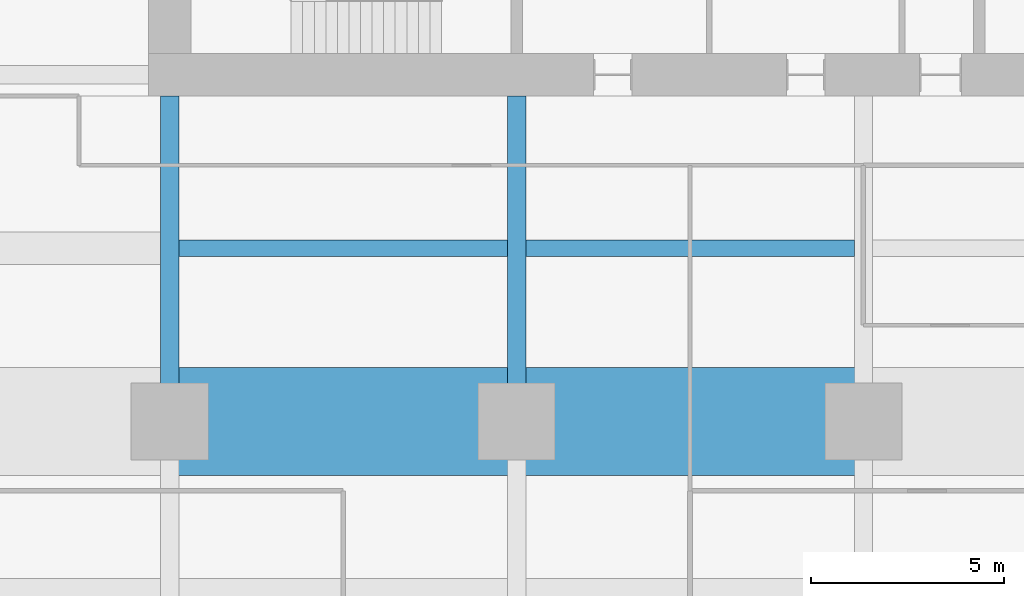
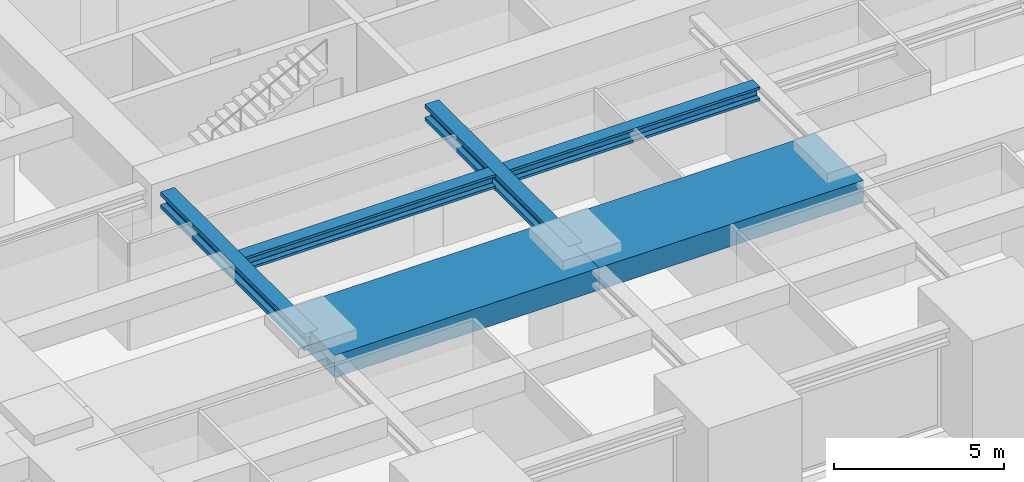
# One storey, part 9 of 45: 6 beams.
"""IFC4 building model written with IfcOpenShell, lengths in metres."""

from ifc_helpers import new_model, si_unit, direction, frame, origin, origin_2d, place, context, subcontext, project, spatial, rectangle, i_section, extrude, material, material_profile, profile_set, type_object, element, save


model = new_model("IFC4")

# Units and contexts
model_context = context("Model", 3, precision=1e-05, world=origin(), true_north=direction((0.0, 1.0)))
body_context = subcontext(model_context, "Body", "Model", "MODEL_VIEW")
ifc_project = project(units=[si_unit("LENGTHUNIT", "METRE"), si_unit("AREAUNIT", "SQUARE_METRE"), si_unit("VOLUMEUNIT", "CUBIC_METRE"), si_unit("PLANEANGLEUNIT", "RADIAN"), si_unit("MASSUNIT", "GRAM", prefix="KILO")], contexts=[model_context])

# Site, building, storey
site_placement = place(None, origin())
site = spatial("IfcSite", under=ifc_project, at=site_placement, CompositionType="ELEMENT")
building_placement = place(site_placement, origin())
building = spatial("IfcBuilding", under=site, at=building_placement, Name="Zorevar Civic Tower", CompositionType="ELEMENT")
storey_placement = place(building_placement, frame((0.0, 0.0, 153.0)))
storey = spatial("IfcBuildingStorey", under=building, at=storey_placement, Name="L37", CompositionType="ELEMENT", Elevation=153.0)

# Beams
ifc_material_1 = material(Name="Concrete C50/60", Category="concrete")
ifc_material_profile_1 = material_profile(ifc_material_1, rectangle(XDim=2.800048828125, YDim=0.800048828125, at=origin_2d()), Name="RC 2800x800")
ifc_profile_set_1 = profile_set([ifc_material_profile_1], Name="Concrete C50/60")
beam_type_1 = type_object("IfcBeamType", Name="Beam RC 2800x800", PredefinedType="BEAM", material=ifc_profile_set_1)
for number, where, z_axis, x_axis, name in (
    (1, (18.0, 9.0, 3.449951171875), (1.0, 0.0, 0.0), (0.0, 1.0, 0.0), "Girder L38"),
    (2, (27.0, 9.0, 3.449951171875), (1.0, 0.0, 0.0), (0.0, 1.0, 0.0), "Girder L38"),
):
    element("IfcBeam", number, at=place(storey_placement, frame(where, z_axis=z_axis, x_axis=x_axis)), inside=storey, type_object=beam_type_1, Name=name, PredefinedType="BEAM", context=body_context, shape_type="SweptSolid", body=[
        extrude(rectangle(XDim=2.800048828125, YDim=0.800048828125, at=origin_2d()), origin(), (0.0, 0.0, 1.0), 9.0),
    ])
ifc_material_2 = material(Name="Steel S460M (HISTAR 460)", Category="steel")
ifc_material_profile_2 = material_profile(ifc_material_2, i_section(OverallWidth=0.431884765625, OverallDepth=0.498046875, WebThickness=0.0556640625, FlangeThickness=0.0888671875, FilletRadius=0.014892578125, at=origin_2d()), Name="HD 400x744")
ifc_profile_set_2 = profile_set([ifc_material_profile_2], Name="Steel S460M (HISTAR 460)")
beam_type_2 = type_object("IfcBeamType", Name="Core bay beam HD 400x744", PredefinedType="BEAM", material=ifc_profile_set_2)
for number, where, z_axis, x_axis, name in (
    (3, (18.238037109375, 13.5, 3.60107421875), (1.0, 0.0, 0.0), (0.0, 1.0, 0.0), "Secondary beam L38"),
    (4, (27.238037109375, 13.5, 3.60107421875), (1.0, 0.0, 0.0), (0.0, 1.0, 0.0), "Secondary beam L38"),
):
    element("IfcBeam", number, at=place(storey_placement, frame(where, z_axis=z_axis, x_axis=x_axis)), inside=storey, type_object=beam_type_2, Name=name, PredefinedType="BEAM", context=body_context, shape_type="SweptSolid", body=[
        extrude(i_section(OverallWidth=0.431884765625, OverallDepth=0.498046875, WebThickness=0.0556640625, FlangeThickness=0.0888671875, FilletRadius=0.014892578125, at=origin_2d()), origin(), (0.0, 0.0, 1.0), 8.52392578125),
    ])
ifc_material_3 = material(Name="Steel S460M (HISTAR 460)", Category="steel")
ifc_material_profile_3 = material_profile(ifc_material_3, i_section(OverallWidth=0.47607421875, OverallDepth=0.60009765625, WebThickness=0.10009765625, FlangeThickness=0.139892578125, FilletRadius=0.014892578125, at=origin_2d()), Name="HD 400x1299")
ifc_profile_set_3 = profile_set([ifc_material_profile_3], Name="Steel S460M (HISTAR 460)")
beam_type_3 = type_object("IfcBeamType", Name="Outrigger chord HD 400x1299", PredefinedType="BEAM", material=ifc_profile_set_3)
for number, where, z_axis, x_axis, name in (
    (5, (18.0, 9.0, 3.550048828125), (0.0, 1.0, 0.0), (-1.0, 0.0, 0.0), "Outrigger chord L38"),
    (6, (27.0, 9.0, 3.550048828125), (0.0, 1.0, 0.0), (-1.0, 0.0, 0.0), "Outrigger chord L38"),
):
    element("IfcBeam", number, at=place(storey_placement, frame(where, z_axis=z_axis, x_axis=x_axis)), inside=storey, type_object=beam_type_3, Name=name, PredefinedType="BEAM", context=body_context, shape_type="SweptSolid", body=[
        extrude(i_section(OverallWidth=0.47607421875, OverallDepth=0.60009765625, WebThickness=0.10009765625, FlangeThickness=0.139892578125, FilletRadius=0.014892578125, at=origin_2d()), origin(), (0.0, 0.0, 1.0), 8.449951171875),
    ])

save(model, "model.ifc")
